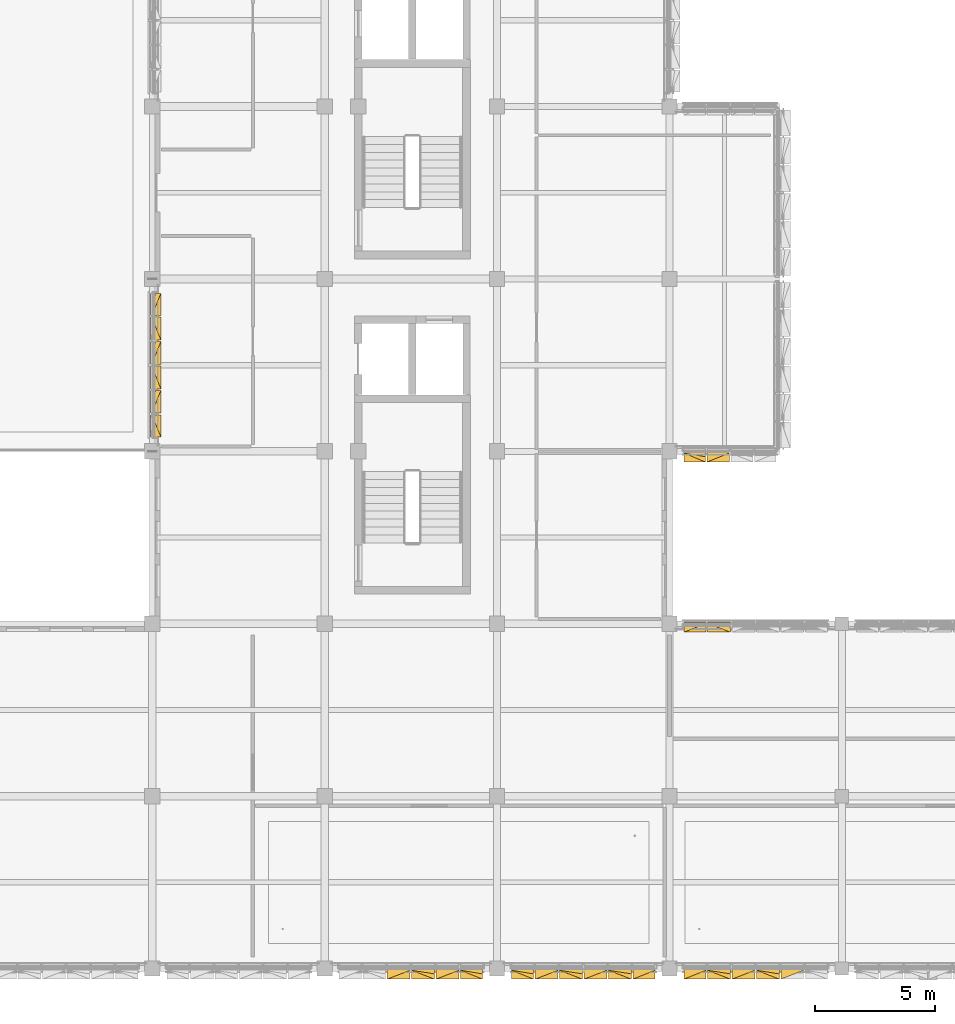
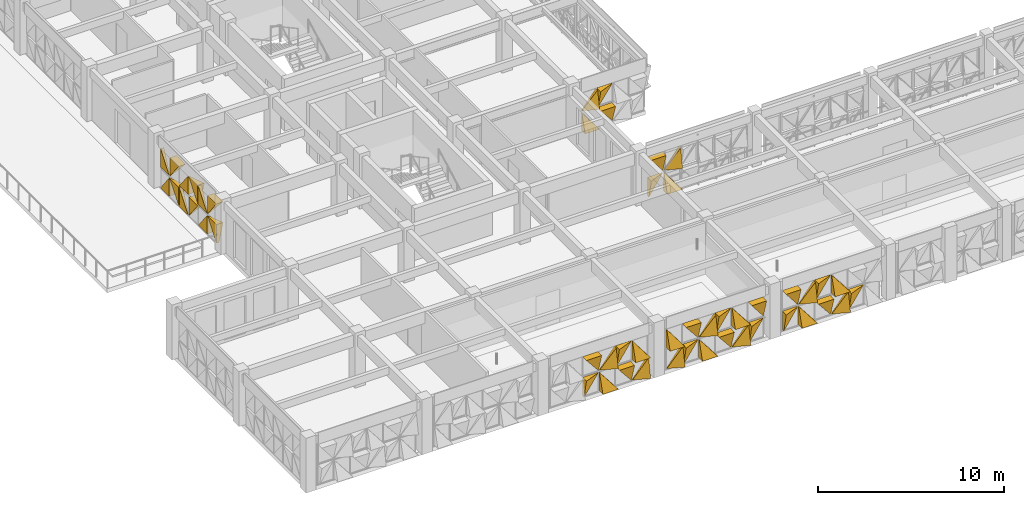
# One storey, part 77 of 85: 49 coverings.
"""IFC4 building model written with IfcOpenShell, lengths in metres."""

from ifc_helpers import new_model, si_unit, direction, frame, origin, place, context, subcontext, project, spatial, polygons, material, layer, layer_set, type_object, element, save


model = new_model("IFC4")

# Units and contexts
model_context = context("Model", 3, precision=1e-05, world=origin(), true_north=direction((0.0, 1.0)))
body_context = subcontext(model_context, "Body", "Model", "MODEL_VIEW")
ifc_project = project(units=[si_unit("LENGTHUNIT", "METRE"), si_unit("AREAUNIT", "SQUARE_METRE"), si_unit("VOLUMEUNIT", "CUBIC_METRE"), si_unit("PLANEANGLEUNIT", "RADIAN"), si_unit("MASSUNIT", "GRAM", prefix="KILO")], contexts=[model_context])

# Site, building, storey
site_placement = place(None, origin())
site = spatial("IfcSite", under=ifc_project, at=site_placement, CompositionType="ELEMENT")
building_placement = place(site_placement, origin())
building = spatial("IfcBuilding", under=site, at=building_placement, Name="Alvorim Cloister Faculty of Sciences", CompositionType="ELEMENT")
storey_placement = place(building_placement, frame((0.0, 0.0, 8.550048828125)))
storey = spatial("IfcBuildingStorey", under=building, at=storey_placement, Name="L02", CompositionType="ELEMENT", Elevation=8.550048828125)

# Coverings
ifc_material = material(Name="Perforated Bronze Alloy Sheet", Category="metal")
ifc_layer = layer(ifc_material, 0.0380859375)
ifc_layer_set = layer_set([ifc_layer], Name="Perforated Bronze Alloy Sheet")
covering_type = type_object("IfcCoveringType", Name="COV-TRI-BRZ", PredefinedType="CLADDING", material=ifc_layer_set)
covering_1_placement = place(storey_placement, frame((7.155029296875, 22.205078125, 0.139892578125), z_axis=(0.0, 0.0, 1.0), x_axis=(0.0, 1.0, 0.0)))
element("IfcCovering", 1, at=covering_1_placement, inside=storey, type_object=covering_type, Name="Diagonal Solid Metal Triangle TRI-TL", PredefinedType="CLADDING", context=body_context, shape_type="Tessellation", body=[
    polygons([(0.920607421875, 0.0260009765625, 1.215087890625), (0.0, 0.0260009765625, 1.215087890625), (0.0, 0.0260009765625, 0.002), (0.920607421875, -0.03, 1.215087890625), (0.0, -0.4, 1.215087890625), (0.0, -0.13999999999999999, 0.002)], [[[1, 3, 2]], [[4, 5, 6]], [[1, 2, 5, 4]], [[2, 3, 6, 5]], [[3, 1, 4, 6]]], closed=True),
])
covering_2_placement = place(storey_placement, frame((7.155029296875, 22.205078125, 1.494873046875), z_axis=(0.0, 0.0, 1.0), x_axis=(0.0, 1.0, 0.0)))
element("IfcCovering", 2, at=covering_2_placement, inside=storey, type_object=covering_type, Name="Diagonal Solid Metal Triangle TRI-TR", PredefinedType="CLADDING", context=body_context, shape_type="Tessellation", body=[
    polygons([(0.922607421875, 0.0260009765625, 0.002), (0.922607421875, 0.0260009765625, 1.215087890625), (0.002, 0.0260009765625, 1.215087890625), (0.922607421875, -0.03, 0.002), (0.922607421875, -0.4, 1.215087890625), (0.002, -0.4, 1.215087890625)], [[[1, 3, 2]], [[4, 5, 6]], [[1, 2, 5, 4]], [[2, 3, 6, 5]], [[3, 1, 4, 6]]], closed=True),
])
covering_3_placement = place(storey_placement, frame((7.155029296875, 23.1923828125, 0.139892578125), z_axis=(0.0, 0.0, 1.0), x_axis=(0.0, 1.0, 0.0)))
element("IfcCovering", 3, at=covering_3_placement, inside=storey, type_object=covering_type, Name="Diagonal Solid Metal Triangle TRI-BL", PredefinedType="CLADDING", context=body_context, shape_type="Tessellation", body=[
    polygons([(0.0, 0.0260009765625, 0.0), (0.953078125, 0.0260009765625, 0.0), (0.0, 0.0260009765625, 1.213087890625), (0.0, -0.4, 0.0), (0.953078125, -0.4, 0.0), (0.0, -0.03, 1.213087890625)], [[[1, 3, 2]], [[4, 5, 6]], [[1, 2, 5, 4]], [[2, 3, 6, 5]], [[3, 1, 4, 6]]], closed=True),
])
covering_4_placement = place(storey_placement, frame((7.155029296875, 23.1923828125, 1.494873046875), z_axis=(0.0, 0.0, 1.0), x_axis=(0.0, 1.0, 0.0)))
element("IfcCovering", 4, at=covering_4_placement, inside=storey, type_object=covering_type, Name="Diagonal Solid Metal Triangle TRI-BR", PredefinedType="CLADDING", context=body_context, shape_type="Tessellation", body=[
    polygons([(0.002, 0.0260009765625, 0.0), (0.955078125, 0.0260009765625, 0.0), (0.955078125, 0.0260009765625, 1.213087890625), (0.002, -0.03, 0.0), (0.955078125, -0.4, 0.0), (0.955078125, -0.18000000000000002, 1.213087890625)], [[[1, 3, 2]], [[4, 5, 6]], [[1, 2, 5, 4]], [[2, 3, 6, 5]], [[3, 1, 4, 6]]], closed=True),
])
covering_5_placement = place(storey_placement, frame((7.155029296875, 24.21240234375, 0.139892578125), z_axis=(0.0, 0.0, 1.0), x_axis=(0.0, 1.0, 0.0)))
element("IfcCovering", 5, at=covering_5_placement, inside=storey, type_object=covering_type, Name="Diagonal Solid Metal Triangle TRI-TR", PredefinedType="CLADDING", context=body_context, shape_type="Tessellation", body=[
    polygons([(0.955078125, 0.0260009765625, 0.002), (0.955078125, 0.0260009765625, 1.215087890625), (0.002, 0.0260009765625, 1.215087890625), (0.955078125, -0.03, 0.002), (0.955078125, -0.4, 1.215087890625), (0.002, -0.4, 1.215087890625)], [[[1, 3, 2]], [[4, 5, 6]], [[1, 2, 5, 4]], [[2, 3, 6, 5]], [[3, 1, 4, 6]]], closed=True),
])
covering_6_placement = place(storey_placement, frame((7.155029296875, 24.21240234375, 1.494873046875), z_axis=(0.0, 0.0, 1.0), x_axis=(0.0, 1.0, 0.0)))
element("IfcCovering", 6, at=covering_6_placement, inside=storey, type_object=covering_type, Name="Diagonal Solid Metal Triangle TRI-TL", PredefinedType="CLADDING", context=body_context, shape_type="Tessellation", body=[
    polygons([(0.953078125, 0.0260009765625, 1.215087890625), (0.0, 0.0260009765625, 1.215087890625), (0.0, 0.0260009765625, 0.002), (0.953078125, -0.03, 1.215087890625), (0.0, -0.4, 1.215087890625), (0.0, -0.13999999999999999, 0.002)], [[[1, 3, 2]], [[4, 5, 6]], [[1, 2, 5, 4]], [[2, 3, 6, 5]], [[3, 1, 4, 6]]], closed=True),
])
covering_7_placement = place(storey_placement, frame((7.155029296875, 25.232421875, 0.139892578125), z_axis=(0.0, 0.0, 1.0), x_axis=(0.0, 1.0, 0.0)))
element("IfcCovering", 7, at=covering_7_placement, inside=storey, type_object=covering_type, Name="Diagonal Solid Metal Triangle TRI-BR", PredefinedType="CLADDING", context=body_context, shape_type="Tessellation", body=[
    polygons([(0.002, 0.0260009765625, 0.0), (0.955078125, 0.0260009765625, 0.0), (0.955078125, 0.0260009765625, 1.213087890625), (0.002, -0.03, 0.0), (0.955078125, -0.4, 0.0), (0.955078125, -0.18000000000000002, 1.213087890625)], [[[1, 3, 2]], [[4, 5, 6]], [[1, 2, 5, 4]], [[2, 3, 6, 5]], [[3, 1, 4, 6]]], closed=True),
])
covering_8_placement = place(storey_placement, frame((7.155029296875, 25.232421875, 1.494873046875), z_axis=(0.0, 0.0, 1.0), x_axis=(0.0, 1.0, 0.0)))
element("IfcCovering", 8, at=covering_8_placement, inside=storey, type_object=covering_type, Name="Diagonal Solid Metal Triangle TRI-BL", PredefinedType="CLADDING", context=body_context, shape_type="Tessellation", body=[
    polygons([(0.0, 0.0260009765625, 0.0), (0.953078125, 0.0260009765625, 0.0), (0.0, 0.0260009765625, 1.213087890625), (0.0, -0.4, 0.0), (0.953078125, -0.4, 0.0), (0.0, -0.03, 1.213087890625)], [[[1, 3, 2]], [[4, 5, 6]], [[1, 2, 5, 4]], [[2, 3, 6, 5]], [[3, 1, 4, 6]]], closed=True),
])
covering_9_placement = place(storey_placement, frame((7.155029296875, 26.25244140625, 0.139892578125), z_axis=(0.0, 0.0, 1.0), x_axis=(0.0, 1.0, 0.0)))
element("IfcCovering", 9, at=covering_9_placement, inside=storey, type_object=covering_type, Name="Diagonal Solid Metal Triangle TRI-TL", PredefinedType="CLADDING", context=body_context, shape_type="Tessellation", body=[
    polygons([(0.953078125, 0.0260009765625, 1.215087890625), (0.0, 0.0260009765625, 1.215087890625), (0.0, 0.0260009765625, 0.002), (0.953078125, -0.03, 1.215087890625), (0.0, -0.4, 1.215087890625), (0.0, -0.13999999999999999, 0.002)], [[[1, 3, 2]], [[4, 5, 6]], [[1, 2, 5, 4]], [[2, 3, 6, 5]], [[3, 1, 4, 6]]], closed=True),
])
covering_10_placement = place(storey_placement, frame((7.155029296875, 26.25244140625, 1.494873046875), z_axis=(0.0, 0.0, 1.0), x_axis=(0.0, 1.0, 0.0)))
element("IfcCovering", 10, at=covering_10_placement, inside=storey, type_object=covering_type, Name="Diagonal Solid Metal Triangle TRI-TR", PredefinedType="CLADDING", context=body_context, shape_type="Tessellation", body=[
    polygons([(0.955078125, 0.0260009765625, 0.002), (0.955078125, 0.0260009765625, 1.215087890625), (0.002, 0.0260009765625, 1.215087890625), (0.955078125, -0.03, 0.002), (0.955078125, -0.4, 1.215087890625), (0.002, -0.4, 1.215087890625)], [[[1, 3, 2]], [[4, 5, 6]], [[1, 2, 5, 4]], [[2, 3, 6, 5]], [[3, 1, 4, 6]]], closed=True),
])
covering_11_placement = place(storey_placement, frame((7.155029296875, 27.2724609375, 0.139892578125), z_axis=(0.0, 0.0, 1.0), x_axis=(0.0, 1.0, 0.0)))
element("IfcCovering", 11, at=covering_11_placement, inside=storey, type_object=covering_type, Name="Diagonal Solid Metal Triangle TRI-BL", PredefinedType="CLADDING", context=body_context, shape_type="Tessellation", body=[
    polygons([(0.0, 0.0260009765625, 0.0), (0.920607421875, 0.0260009765625, 0.0), (0.0, 0.0260009765625, 1.213087890625), (0.0, -0.4, 0.0), (0.920607421875, -0.4, 0.0), (0.0, -0.03, 1.213087890625)], [[[1, 3, 2]], [[4, 5, 6]], [[1, 2, 5, 4]], [[2, 3, 6, 5]], [[3, 1, 4, 6]]], closed=True),
])
covering_12_placement = place(storey_placement, frame((7.155029296875, 27.2724609375, 1.494873046875), z_axis=(0.0, 0.0, 1.0), x_axis=(0.0, 1.0, 0.0)))
element("IfcCovering", 12, at=covering_12_placement, inside=storey, type_object=covering_type, Name="Diagonal Solid Metal Triangle TRI-BR", PredefinedType="CLADDING", context=body_context, shape_type="Tessellation", body=[
    polygons([(0.002, 0.0260009765625, 0.0), (0.922607421875, 0.0260009765625, 0.0), (0.922607421875, 0.0260009765625, 1.213087890625), (0.002, -0.03, 0.0), (0.922607421875, -0.4, 0.0), (0.922607421875, -0.18000000000000002, 1.213087890625)], [[[1, 3, 2]], [[4, 5, 6]], [[1, 2, 5, 4]], [[2, 3, 6, 5]], [[3, 1, 4, 6]]], closed=True),
])
covering_13_placement = place(storey_placement, frame((29.405029296875, 21.554931640625, 0.139892578125), z_axis=(0.0, 0.0, 1.0), x_axis=(1.0, 0.0, 0.0)))
element("IfcCovering", 13, at=covering_13_placement, inside=storey, type_object=covering_type, Name="Diagonal Solid Metal Triangle TRI-BL", PredefinedType="CLADDING", context=body_context, shape_type="Tessellation", body=[
    polygons([(0.0, 0.0260009765625, 0.0), (0.8954609375, 0.0260009765625, 0.0), (0.0, 0.0260009765625, 1.14106640625), (0.0, -0.4, 0.0), (0.8954609375, -0.4, 0.0), (0.0, -0.03, 1.14106640625)], [[[1, 3, 2]], [[4, 5, 6]], [[1, 2, 5, 4]], [[2, 3, 6, 5]], [[3, 1, 4, 6]]], closed=True),
])
covering_14_placement = place(storey_placement, frame((29.405029296875, 21.554931640625, 1.4228515625), z_axis=(0.0, 0.0, 1.0), x_axis=(1.0, 0.0, 0.0)))
element("IfcCovering", 14, at=covering_14_placement, inside=storey, type_object=covering_type, Name="Diagonal Solid Metal Triangle TRI-BR", PredefinedType="CLADDING", context=body_context, shape_type="Tessellation", body=[
    polygons([(0.002, 0.0260009765625, 0.0), (0.8974609375, 0.0260009765625, 0.0), (0.8974609375, 0.0260009765625, 1.14106640625), (0.002, -0.03, 0.0), (0.8974609375, -0.4, 0.0), (0.8974609375, -0.18000000000000002, 1.14106640625)], [[[1, 3, 2]], [[4, 5, 6]], [[1, 2, 5, 4]], [[2, 3, 6, 5]], [[3, 1, 4, 6]]], closed=True),
])
covering_15_placement = place(storey_placement, frame((30.367431640625, 21.554931640625, 0.139892578125), z_axis=(0.0, 0.0, 1.0), x_axis=(1.0, 0.0, 0.0)))
element("IfcCovering", 15, at=covering_15_placement, inside=storey, type_object=covering_type, Name="Diagonal Solid Metal Triangle TRI-TR", PredefinedType="CLADDING", context=body_context, shape_type="Tessellation", body=[
    polygons([(0.929931640625, 0.0260009765625, 0.002), (0.929931640625, 0.0260009765625, 1.14306640625), (0.002, 0.0260009765625, 1.14306640625), (0.929931640625, -0.03, 0.002), (0.929931640625, -0.4, 1.14306640625), (0.002, -0.4, 1.14306640625)], [[[1, 3, 2]], [[4, 5, 6]], [[1, 2, 5, 4]], [[2, 3, 6, 5]], [[3, 1, 4, 6]]], closed=True),
])
covering_16_placement = place(storey_placement, frame((30.367431640625, 21.554931640625, 1.4228515625), z_axis=(0.0, 0.0, 1.0), x_axis=(1.0, 0.0, 0.0)))
element("IfcCovering", 16, at=covering_16_placement, inside=storey, type_object=covering_type, Name="Diagonal Solid Metal Triangle TRI-TL", PredefinedType="CLADDING", context=body_context, shape_type="Tessellation", body=[
    polygons([(0.927931640625, 0.0260009765625, 1.14306640625), (0.0, 0.0260009765625, 1.14306640625), (0.0, 0.0260009765625, 0.002), (0.927931640625, -0.03, 1.14306640625), (0.0, -0.4, 1.14306640625), (0.0, -0.13999999999999999, 0.002)], [[[1, 3, 2]], [[4, 5, 6]], [[1, 2, 5, 4]], [[2, 3, 6, 5]], [[3, 1, 4, 6]]], closed=True),
])
covering_17_placement = place(storey_placement, frame((29.405029296875, 14.445068359375, 0.139892578125), z_axis=(0.0, 0.0, 1.0), x_axis=(1.0, 0.0, 0.0)))
element("IfcCovering", 17, at=covering_17_placement, inside=storey, type_object=covering_type, Name="Diagonal Solid Metal Triangle TRI-TL", PredefinedType="CLADDING", context=body_context, shape_type="Tessellation", body=[
    polygons([(0.920607421875, 0.0260009765625, 1.215087890625), (0.0, 0.0260009765625, 1.215087890625), (0.0, 0.0260009765625, 0.002), (0.920607421875, -0.03, 1.215087890625), (0.0, -0.4, 1.215087890625), (0.0, -0.13999999999999999, 0.002)], [[[1, 3, 2]], [[4, 5, 6]], [[1, 2, 5, 4]], [[2, 3, 6, 5]], [[3, 1, 4, 6]]], closed=True),
])
covering_18_placement = place(storey_placement, frame((29.405029296875, 14.445068359375, 1.494873046875), z_axis=(0.0, 0.0, 1.0), x_axis=(1.0, 0.0, 0.0)))
element("IfcCovering", 18, at=covering_18_placement, inside=storey, type_object=covering_type, Name="Diagonal Solid Metal Triangle TRI-TR", PredefinedType="CLADDING", context=body_context, shape_type="Tessellation", body=[
    polygons([(0.922607421875, 0.0260009765625, 0.002), (0.922607421875, 0.0260009765625, 1.215087890625), (0.002, 0.0260009765625, 1.215087890625), (0.922607421875, -0.03, 0.002), (0.922607421875, -0.4, 1.215087890625), (0.002, -0.4, 1.215087890625)], [[[1, 3, 2]], [[4, 5, 6]], [[1, 2, 5, 4]], [[2, 3, 6, 5]], [[3, 1, 4, 6]]], closed=True),
])
covering_19_placement = place(storey_placement, frame((30.392578125, 14.445068359375, 0.139892578125), z_axis=(0.0, 0.0, 1.0), x_axis=(1.0, 0.0, 0.0)))
element("IfcCovering", 19, at=covering_19_placement, inside=storey, type_object=covering_type, Name="Diagonal Solid Metal Triangle TRI-BL", PredefinedType="CLADDING", context=body_context, shape_type="Tessellation", body=[
    polygons([(0.0, 0.0260009765625, 0.0), (0.953078125, 0.0260009765625, 0.0), (0.0, 0.0260009765625, 1.213087890625), (0.0, -0.4, 0.0), (0.953078125, -0.4, 0.0), (0.0, -0.03, 1.213087890625)], [[[1, 3, 2]], [[4, 5, 6]], [[1, 2, 5, 4]], [[2, 3, 6, 5]], [[3, 1, 4, 6]]], closed=True),
])
covering_20_placement = place(storey_placement, frame((30.392578125, 14.445068359375, 1.494873046875), z_axis=(0.0, 0.0, 1.0), x_axis=(1.0, 0.0, 0.0)))
element("IfcCovering", 20, at=covering_20_placement, inside=storey, type_object=covering_type, Name="Diagonal Solid Metal Triangle TRI-BR", PredefinedType="CLADDING", context=body_context, shape_type="Tessellation", body=[
    polygons([(0.002, 0.0260009765625, 0.0), (0.955078125, 0.0260009765625, 0.0), (0.955078125, 0.0260009765625, 1.213087890625), (0.002, -0.03, 0.0), (0.955078125, -0.4, 0.0), (0.955078125, -0.18000000000000002, 1.213087890625)], [[[1, 3, 2]], [[4, 5, 6]], [[1, 2, 5, 4]], [[2, 3, 6, 5]], [[3, 1, 4, 6]]], closed=True),
])
covering_21_placement = place(storey_placement, frame((29.405029296875, -0.044921875, 0.139892578125), z_axis=(0.0, 0.0, 1.0), x_axis=(1.0, 0.0, 0.0)))
element("IfcCovering", 21, at=covering_21_placement, inside=storey, type_object=covering_type, Name="Diagonal Solid Metal Triangle TRI-TL", PredefinedType="CLADDING", context=body_context, shape_type="Tessellation", body=[
    polygons([(0.920607421875, 0.0260009765625, 1.215087890625), (0.0, 0.0260009765625, 1.215087890625), (0.0, 0.0260009765625, 0.002), (0.920607421875, -0.03, 1.215087890625), (0.0, -0.4, 1.215087890625), (0.0, -0.13999999999999999, 0.002)], [[[1, 3, 2]], [[4, 5, 6]], [[1, 2, 5, 4]], [[2, 3, 6, 5]], [[3, 1, 4, 6]]], closed=True),
])
covering_22_placement = place(storey_placement, frame((29.405029296875, -0.044921875, 1.494873046875), z_axis=(0.0, 0.0, 1.0), x_axis=(1.0, 0.0, 0.0)))
element("IfcCovering", 22, at=covering_22_placement, inside=storey, type_object=covering_type, Name="Diagonal Solid Metal Triangle TRI-TR", PredefinedType="CLADDING", context=body_context, shape_type="Tessellation", body=[
    polygons([(0.922607421875, 0.0260009765625, 0.002), (0.922607421875, 0.0260009765625, 1.215087890625), (0.002, 0.0260009765625, 1.215087890625), (0.922607421875, -0.03, 0.002), (0.922607421875, -0.4, 1.215087890625), (0.002, -0.4, 1.215087890625)], [[[1, 3, 2]], [[4, 5, 6]], [[1, 2, 5, 4]], [[2, 3, 6, 5]], [[3, 1, 4, 6]]], closed=True),
])
covering_23_placement = place(storey_placement, frame((30.392578125, -0.044921875, 0.139892578125), z_axis=(0.0, 0.0, 1.0), x_axis=(1.0, 0.0, 0.0)))
element("IfcCovering", 23, at=covering_23_placement, inside=storey, type_object=covering_type, Name="Diagonal Solid Metal Triangle TRI-BL", PredefinedType="CLADDING", context=body_context, shape_type="Tessellation", body=[
    polygons([(0.0, 0.0260009765625, 0.0), (0.953078125, 0.0260009765625, 0.0), (0.0, 0.0260009765625, 1.213087890625), (0.0, -0.4, 0.0), (0.953078125, -0.4, 0.0), (0.0, -0.03, 1.213087890625)], [[[1, 3, 2]], [[4, 5, 6]], [[1, 2, 5, 4]], [[2, 3, 6, 5]], [[3, 1, 4, 6]]], closed=True),
])
covering_24_placement = place(storey_placement, frame((30.392578125, -0.044921875, 1.494873046875), z_axis=(0.0, 0.0, 1.0), x_axis=(1.0, 0.0, 0.0)))
element("IfcCovering", 24, at=covering_24_placement, inside=storey, type_object=covering_type, Name="Diagonal Solid Metal Triangle TRI-BR", PredefinedType="CLADDING", context=body_context, shape_type="Tessellation", body=[
    polygons([(0.002, 0.0260009765625, 0.0), (0.955078125, 0.0260009765625, 0.0), (0.955078125, 0.0260009765625, 1.213087890625), (0.002, -0.03, 0.0), (0.955078125, -0.4, 0.0), (0.955078125, -0.18000000000000002, 1.213087890625)], [[[1, 3, 2]], [[4, 5, 6]], [[1, 2, 5, 4]], [[2, 3, 6, 5]], [[3, 1, 4, 6]]], closed=True),
])
covering_25_placement = place(storey_placement, frame((31.41259765625, -0.044921875, 0.139892578125), z_axis=(0.0, 0.0, 1.0), x_axis=(1.0, 0.0, 0.0)))
element("IfcCovering", 25, at=covering_25_placement, inside=storey, type_object=covering_type, Name="Diagonal Solid Metal Triangle TRI-TR", PredefinedType="CLADDING", context=body_context, shape_type="Tessellation", body=[
    polygons([(0.955078125, 0.0260009765625, 0.002), (0.955078125, 0.0260009765625, 1.215087890625), (0.002, 0.0260009765625, 1.215087890625), (0.955078125, -0.03, 0.002), (0.955078125, -0.4, 1.215087890625), (0.002, -0.4, 1.215087890625)], [[[1, 3, 2]], [[4, 5, 6]], [[1, 2, 5, 4]], [[2, 3, 6, 5]], [[3, 1, 4, 6]]], closed=True),
])
covering_26_placement = place(storey_placement, frame((31.41259765625, -0.044921875, 1.494873046875), z_axis=(0.0, 0.0, 1.0), x_axis=(1.0, 0.0, 0.0)))
element("IfcCovering", 26, at=covering_26_placement, inside=storey, type_object=covering_type, Name="Diagonal Solid Metal Triangle TRI-TL", PredefinedType="CLADDING", context=body_context, shape_type="Tessellation", body=[
    polygons([(0.953078125, 0.0260009765625, 1.215087890625), (0.0, 0.0260009765625, 1.215087890625), (0.0, 0.0260009765625, 0.002), (0.953078125, -0.03, 1.215087890625), (0.0, -0.4, 1.215087890625), (0.0, -0.13999999999999999, 0.002)], [[[1, 3, 2]], [[4, 5, 6]], [[1, 2, 5, 4]], [[2, 3, 6, 5]], [[3, 1, 4, 6]]], closed=True),
])
covering_27_placement = place(storey_placement, frame((32.4326171875, -0.044921875, 0.139892578125), z_axis=(0.0, 0.0, 1.0), x_axis=(1.0, 0.0, 0.0)))
element("IfcCovering", 27, at=covering_27_placement, inside=storey, type_object=covering_type, Name="Diagonal Solid Metal Triangle TRI-BR", PredefinedType="CLADDING", context=body_context, shape_type="Tessellation", body=[
    polygons([(0.002, 0.0260009765625, 0.0), (0.955078125, 0.0260009765625, 0.0), (0.955078125, 0.0260009765625, 1.213087890625), (0.002, -0.03, 0.0), (0.955078125, -0.4, 0.0), (0.955078125, -0.18000000000000002, 1.213087890625)], [[[1, 3, 2]], [[4, 5, 6]], [[1, 2, 5, 4]], [[2, 3, 6, 5]], [[3, 1, 4, 6]]], closed=True),
])
covering_28_placement = place(storey_placement, frame((32.4326171875, -0.044921875, 1.494873046875), z_axis=(0.0, 0.0, 1.0), x_axis=(1.0, 0.0, 0.0)))
element("IfcCovering", 28, at=covering_28_placement, inside=storey, type_object=covering_type, Name="Diagonal Solid Metal Triangle TRI-BL", PredefinedType="CLADDING", context=body_context, shape_type="Tessellation", body=[
    polygons([(0.0, 0.0260009765625, 0.0), (0.953078125, 0.0260009765625, 0.0), (0.0, 0.0260009765625, 1.213087890625), (0.0, -0.4, 0.0), (0.953078125, -0.4, 0.0), (0.0, -0.03, 1.213087890625)], [[[1, 3, 2]], [[4, 5, 6]], [[1, 2, 5, 4]], [[2, 3, 6, 5]], [[3, 1, 4, 6]]], closed=True),
])
covering_29_placement = place(storey_placement, frame((33.452392578125, -0.044921875, 0.139892578125), z_axis=(0.0, 0.0, 1.0), x_axis=(1.0, 0.0, 0.0)))
element("IfcCovering", 29, at=covering_29_placement, inside=storey, type_object=covering_type, Name="Diagonal Solid Metal Triangle TRI-TL", PredefinedType="CLADDING", context=body_context, shape_type="Tessellation", body=[
    polygons([(0.953078125, 0.0260009765625, 1.215087890625), (0.0, 0.0260009765625, 1.215087890625), (0.0, 0.0260009765625, 0.002), (0.953078125, -0.03, 1.215087890625), (0.0, -0.4, 1.215087890625), (0.0, -0.13999999999999999, 0.002)], [[[1, 3, 2]], [[4, 5, 6]], [[1, 2, 5, 4]], [[2, 3, 6, 5]], [[3, 1, 4, 6]]], closed=True),
])
covering_30_placement = place(storey_placement, frame((22.205078125, -0.044921875, 0.139892578125), z_axis=(0.0, 0.0, 1.0), x_axis=(1.0, 0.0, 0.0)))
element("IfcCovering", 30, at=covering_30_placement, inside=storey, type_object=covering_type, Name="Diagonal Solid Metal Triangle TRI-BR", PredefinedType="CLADDING", context=body_context, shape_type="Tessellation", body=[
    polygons([(0.002, 0.0260009765625, 0.0), (0.922607421875, 0.0260009765625, 0.0), (0.922607421875, 0.0260009765625, 1.213087890625), (0.002, -0.03, 0.0), (0.922607421875, -0.4, 0.0), (0.922607421875, -0.18000000000000002, 1.213087890625)], [[[1, 3, 2]], [[4, 5, 6]], [[1, 2, 5, 4]], [[2, 3, 6, 5]], [[3, 1, 4, 6]]], closed=True),
])
covering_31_placement = place(storey_placement, frame((22.205078125, -0.044921875, 1.494873046875), z_axis=(0.0, 0.0, 1.0), x_axis=(1.0, 0.0, 0.0)))
element("IfcCovering", 31, at=covering_31_placement, inside=storey, type_object=covering_type, Name="Diagonal Solid Metal Triangle TRI-BL", PredefinedType="CLADDING", context=body_context, shape_type="Tessellation", body=[
    polygons([(0.0, 0.0260009765625, 0.0), (0.920607421875, 0.0260009765625, 0.0), (0.0, 0.0260009765625, 1.213087890625), (0.0, -0.4, 0.0), (0.920607421875, -0.4, 0.0), (0.0, -0.03, 1.213087890625)], [[[1, 3, 2]], [[4, 5, 6]], [[1, 2, 5, 4]], [[2, 3, 6, 5]], [[3, 1, 4, 6]]], closed=True),
])
covering_32_placement = place(storey_placement, frame((23.1923828125, -0.044921875, 0.139892578125), z_axis=(0.0, 0.0, 1.0), x_axis=(1.0, 0.0, 0.0)))
element("IfcCovering", 32, at=covering_32_placement, inside=storey, type_object=covering_type, Name="Diagonal Solid Metal Triangle TRI-TL", PredefinedType="CLADDING", context=body_context, shape_type="Tessellation", body=[
    polygons([(0.953078125, 0.0260009765625, 1.215087890625), (0.0, 0.0260009765625, 1.215087890625), (0.0, 0.0260009765625, 0.002), (0.953078125, -0.03, 1.215087890625), (0.0, -0.4, 1.215087890625), (0.0, -0.13999999999999999, 0.002)], [[[1, 3, 2]], [[4, 5, 6]], [[1, 2, 5, 4]], [[2, 3, 6, 5]], [[3, 1, 4, 6]]], closed=True),
])
covering_33_placement = place(storey_placement, frame((23.1923828125, -0.044921875, 1.494873046875), z_axis=(0.0, 0.0, 1.0), x_axis=(1.0, 0.0, 0.0)))
element("IfcCovering", 33, at=covering_33_placement, inside=storey, type_object=covering_type, Name="Diagonal Solid Metal Triangle TRI-TR", PredefinedType="CLADDING", context=body_context, shape_type="Tessellation", body=[
    polygons([(0.955078125, 0.0260009765625, 0.002), (0.955078125, 0.0260009765625, 1.215087890625), (0.002, 0.0260009765625, 1.215087890625), (0.955078125, -0.03, 0.002), (0.955078125, -0.4, 1.215087890625), (0.002, -0.4, 1.215087890625)], [[[1, 3, 2]], [[4, 5, 6]], [[1, 2, 5, 4]], [[2, 3, 6, 5]], [[3, 1, 4, 6]]], closed=True),
])
covering_34_placement = place(storey_placement, frame((24.21240234375, -0.044921875, 0.139892578125), z_axis=(0.0, 0.0, 1.0), x_axis=(1.0, 0.0, 0.0)))
element("IfcCovering", 34, at=covering_34_placement, inside=storey, type_object=covering_type, Name="Diagonal Solid Metal Triangle TRI-BL", PredefinedType="CLADDING", context=body_context, shape_type="Tessellation", body=[
    polygons([(0.0, 0.0260009765625, 0.0), (0.953078125, 0.0260009765625, 0.0), (0.0, 0.0260009765625, 1.213087890625), (0.0, -0.4, 0.0), (0.953078125, -0.4, 0.0), (0.0, -0.03, 1.213087890625)], [[[1, 3, 2]], [[4, 5, 6]], [[1, 2, 5, 4]], [[2, 3, 6, 5]], [[3, 1, 4, 6]]], closed=True),
])
covering_35_placement = place(storey_placement, frame((24.21240234375, -0.044921875, 1.494873046875), z_axis=(0.0, 0.0, 1.0), x_axis=(1.0, 0.0, 0.0)))
element("IfcCovering", 35, at=covering_35_placement, inside=storey, type_object=covering_type, Name="Diagonal Solid Metal Triangle TRI-BR", PredefinedType="CLADDING", context=body_context, shape_type="Tessellation", body=[
    polygons([(0.002, 0.0260009765625, 0.0), (0.955078125, 0.0260009765625, 0.0), (0.955078125, 0.0260009765625, 1.213087890625), (0.002, -0.03, 0.0), (0.955078125, -0.4, 0.0), (0.955078125, -0.18000000000000002, 1.213087890625)], [[[1, 3, 2]], [[4, 5, 6]], [[1, 2, 5, 4]], [[2, 3, 6, 5]], [[3, 1, 4, 6]]], closed=True),
])
covering_36_placement = place(storey_placement, frame((25.232421875, -0.044921875, 0.139892578125), z_axis=(0.0, 0.0, 1.0), x_axis=(1.0, 0.0, 0.0)))
element("IfcCovering", 36, at=covering_36_placement, inside=storey, type_object=covering_type, Name="Diagonal Solid Metal Triangle TRI-TR", PredefinedType="CLADDING", context=body_context, shape_type="Tessellation", body=[
    polygons([(0.955078125, 0.0260009765625, 0.002), (0.955078125, 0.0260009765625, 1.215087890625), (0.002, 0.0260009765625, 1.215087890625), (0.955078125, -0.03, 0.002), (0.955078125, -0.4, 1.215087890625), (0.002, -0.4, 1.215087890625)], [[[1, 3, 2]], [[4, 5, 6]], [[1, 2, 5, 4]], [[2, 3, 6, 5]], [[3, 1, 4, 6]]], closed=True),
])
covering_37_placement = place(storey_placement, frame((25.232421875, -0.044921875, 1.494873046875), z_axis=(0.0, 0.0, 1.0), x_axis=(1.0, 0.0, 0.0)))
element("IfcCovering", 37, at=covering_37_placement, inside=storey, type_object=covering_type, Name="Diagonal Solid Metal Triangle TRI-TL", PredefinedType="CLADDING", context=body_context, shape_type="Tessellation", body=[
    polygons([(0.953078125, 0.0260009765625, 1.215087890625), (0.0, 0.0260009765625, 1.215087890625), (0.0, 0.0260009765625, 0.002), (0.953078125, -0.03, 1.215087890625), (0.0, -0.4, 1.215087890625), (0.0, -0.13999999999999999, 0.002)], [[[1, 3, 2]], [[4, 5, 6]], [[1, 2, 5, 4]], [[2, 3, 6, 5]], [[3, 1, 4, 6]]], closed=True),
])
covering_38_placement = place(storey_placement, frame((26.25244140625, -0.044921875, 0.139892578125), z_axis=(0.0, 0.0, 1.0), x_axis=(1.0, 0.0, 0.0)))
element("IfcCovering", 38, at=covering_38_placement, inside=storey, type_object=covering_type, Name="Diagonal Solid Metal Triangle TRI-BR", PredefinedType="CLADDING", context=body_context, shape_type="Tessellation", body=[
    polygons([(0.002, 0.0260009765625, 0.0), (0.955078125, 0.0260009765625, 0.0), (0.955078125, 0.0260009765625, 1.213087890625), (0.002, -0.03, 0.0), (0.955078125, -0.4, 0.0), (0.955078125, -0.18000000000000002, 1.213087890625)], [[[1, 3, 2]], [[4, 5, 6]], [[1, 2, 5, 4]], [[2, 3, 6, 5]], [[3, 1, 4, 6]]], closed=True),
])
covering_39_placement = place(storey_placement, frame((26.25244140625, -0.044921875, 1.494873046875), z_axis=(0.0, 0.0, 1.0), x_axis=(1.0, 0.0, 0.0)))
element("IfcCovering", 39, at=covering_39_placement, inside=storey, type_object=covering_type, Name="Diagonal Solid Metal Triangle TRI-BL", PredefinedType="CLADDING", context=body_context, shape_type="Tessellation", body=[
    polygons([(0.0, 0.0260009765625, 0.0), (0.953078125, 0.0260009765625, 0.0), (0.0, 0.0260009765625, 1.213087890625), (0.0, -0.4, 0.0), (0.953078125, -0.4, 0.0), (0.0, -0.03, 1.213087890625)], [[[1, 3, 2]], [[4, 5, 6]], [[1, 2, 5, 4]], [[2, 3, 6, 5]], [[3, 1, 4, 6]]], closed=True),
])
covering_40_placement = place(storey_placement, frame((27.2724609375, -0.044921875, 0.139892578125), z_axis=(0.0, 0.0, 1.0), x_axis=(1.0, 0.0, 0.0)))
element("IfcCovering", 40, at=covering_40_placement, inside=storey, type_object=covering_type, Name="Diagonal Solid Metal Triangle TRI-TL", PredefinedType="CLADDING", context=body_context, shape_type="Tessellation", body=[
    polygons([(0.920607421875, 0.0260009765625, 1.215087890625), (0.0, 0.0260009765625, 1.215087890625), (0.0, 0.0260009765625, 0.002), (0.920607421875, -0.03, 1.215087890625), (0.0, -0.4, 1.215087890625), (0.0, -0.13999999999999999, 0.002)], [[[1, 3, 2]], [[4, 5, 6]], [[1, 2, 5, 4]], [[2, 3, 6, 5]], [[3, 1, 4, 6]]], closed=True),
])
covering_41_placement = place(storey_placement, frame((27.2724609375, -0.044921875, 1.494873046875), z_axis=(0.0, 0.0, 1.0), x_axis=(1.0, 0.0, 0.0)))
element("IfcCovering", 41, at=covering_41_placement, inside=storey, type_object=covering_type, Name="Diagonal Solid Metal Triangle TRI-TR", PredefinedType="CLADDING", context=body_context, shape_type="Tessellation", body=[
    polygons([(0.922607421875, 0.0260009765625, 0.002), (0.922607421875, 0.0260009765625, 1.215087890625), (0.002, 0.0260009765625, 1.215087890625), (0.922607421875, -0.03, 0.002), (0.922607421875, -0.4, 1.215087890625), (0.002, -0.4, 1.215087890625)], [[[1, 3, 2]], [[4, 5, 6]], [[1, 2, 5, 4]], [[2, 3, 6, 5]], [[3, 1, 4, 6]]], closed=True),
])
covering_42_placement = place(storey_placement, frame((17.012451171875, -0.044921875, 0.139892578125), z_axis=(0.0, 0.0, 1.0), x_axis=(1.0, 0.0, 0.0)))
element("IfcCovering", 42, at=covering_42_placement, inside=storey, type_object=covering_type, Name="Diagonal Solid Metal Triangle TRI-TL", PredefinedType="CLADDING", context=body_context, shape_type="Tessellation", body=[
    polygons([(0.953078125, 0.0260009765625, 1.215087890625), (0.0, 0.0260009765625, 1.215087890625), (0.0, 0.0260009765625, 0.002), (0.953078125, -0.03, 1.215087890625), (0.0, -0.4, 1.215087890625), (0.0, -0.13999999999999999, 0.002)], [[[1, 3, 2]], [[4, 5, 6]], [[1, 2, 5, 4]], [[2, 3, 6, 5]], [[3, 1, 4, 6]]], closed=True),
])
covering_43_placement = place(storey_placement, frame((17.012451171875, -0.044921875, 1.494873046875), z_axis=(0.0, 0.0, 1.0), x_axis=(1.0, 0.0, 0.0)))
element("IfcCovering", 43, at=covering_43_placement, inside=storey, type_object=covering_type, Name="Diagonal Solid Metal Triangle TRI-TR", PredefinedType="CLADDING", context=body_context, shape_type="Tessellation", body=[
    polygons([(0.955078125, 0.0260009765625, 0.002), (0.955078125, 0.0260009765625, 1.215087890625), (0.002, 0.0260009765625, 1.215087890625), (0.955078125, -0.03, 0.002), (0.955078125, -0.4, 1.215087890625), (0.002, -0.4, 1.215087890625)], [[[1, 3, 2]], [[4, 5, 6]], [[1, 2, 5, 4]], [[2, 3, 6, 5]], [[3, 1, 4, 6]]], closed=True),
])
covering_44_placement = place(storey_placement, frame((18.032470703125, -0.044921875, 0.139892578125), z_axis=(0.0, 0.0, 1.0), x_axis=(1.0, 0.0, 0.0)))
element("IfcCovering", 44, at=covering_44_placement, inside=storey, type_object=covering_type, Name="Diagonal Solid Metal Triangle TRI-BL", PredefinedType="CLADDING", context=body_context, shape_type="Tessellation", body=[
    polygons([(0.0, 0.0260009765625, 0.0), (0.953078125, 0.0260009765625, 0.0), (0.0, 0.0260009765625, 1.213087890625), (0.0, -0.4, 0.0), (0.953078125, -0.4, 0.0), (0.0, -0.03, 1.213087890625)], [[[1, 3, 2]], [[4, 5, 6]], [[1, 2, 5, 4]], [[2, 3, 6, 5]], [[3, 1, 4, 6]]], closed=True),
])
covering_45_placement = place(storey_placement, frame((18.032470703125, -0.044921875, 1.494873046875), z_axis=(0.0, 0.0, 1.0), x_axis=(1.0, 0.0, 0.0)))
element("IfcCovering", 45, at=covering_45_placement, inside=storey, type_object=covering_type, Name="Diagonal Solid Metal Triangle TRI-BR", PredefinedType="CLADDING", context=body_context, shape_type="Tessellation", body=[
    polygons([(0.002, 0.0260009765625, 0.0), (0.955078125, 0.0260009765625, 0.0), (0.955078125, 0.0260009765625, 1.213087890625), (0.002, -0.03, 0.0), (0.955078125, -0.4, 0.0), (0.955078125, -0.18000000000000002, 1.213087890625)], [[[1, 3, 2]], [[4, 5, 6]], [[1, 2, 5, 4]], [[2, 3, 6, 5]], [[3, 1, 4, 6]]], closed=True),
])
covering_46_placement = place(storey_placement, frame((19.052490234375, -0.044921875, 0.139892578125), z_axis=(0.0, 0.0, 1.0), x_axis=(1.0, 0.0, 0.0)))
element("IfcCovering", 46, at=covering_46_placement, inside=storey, type_object=covering_type, Name="Diagonal Solid Metal Triangle TRI-TR", PredefinedType="CLADDING", context=body_context, shape_type="Tessellation", body=[
    polygons([(0.955078125, 0.0260009765625, 0.002), (0.955078125, 0.0260009765625, 1.215087890625), (0.002, 0.0260009765625, 1.215087890625), (0.955078125, -0.03, 0.002), (0.955078125, -0.4, 1.215087890625), (0.002, -0.4, 1.215087890625)], [[[1, 3, 2]], [[4, 5, 6]], [[1, 2, 5, 4]], [[2, 3, 6, 5]], [[3, 1, 4, 6]]], closed=True),
])
covering_47_placement = place(storey_placement, frame((19.052490234375, -0.044921875, 1.494873046875), z_axis=(0.0, 0.0, 1.0), x_axis=(1.0, 0.0, 0.0)))
element("IfcCovering", 47, at=covering_47_placement, inside=storey, type_object=covering_type, Name="Diagonal Solid Metal Triangle TRI-TL", PredefinedType="CLADDING", context=body_context, shape_type="Tessellation", body=[
    polygons([(0.953078125, 0.0260009765625, 1.215087890625), (0.0, 0.0260009765625, 1.215087890625), (0.0, 0.0260009765625, 0.002), (0.953078125, -0.03, 1.215087890625), (0.0, -0.4, 1.215087890625), (0.0, -0.13999999999999999, 0.002)], [[[1, 3, 2]], [[4, 5, 6]], [[1, 2, 5, 4]], [[2, 3, 6, 5]], [[3, 1, 4, 6]]], closed=True),
])
covering_48_placement = place(storey_placement, frame((20.072509765625, -0.044921875, 0.139892578125), z_axis=(0.0, 0.0, 1.0), x_axis=(1.0, 0.0, 0.0)))
element("IfcCovering", 48, at=covering_48_placement, inside=storey, type_object=covering_type, Name="Diagonal Solid Metal Triangle TRI-BR", PredefinedType="CLADDING", context=body_context, shape_type="Tessellation", body=[
    polygons([(0.002, 0.0260009765625, 0.0), (0.922607421875, 0.0260009765625, 0.0), (0.922607421875, 0.0260009765625, 1.213087890625), (0.002, -0.03, 0.0), (0.922607421875, -0.4, 0.0), (0.922607421875, -0.18000000000000002, 1.213087890625)], [[[1, 3, 2]], [[4, 5, 6]], [[1, 2, 5, 4]], [[2, 3, 6, 5]], [[3, 1, 4, 6]]], closed=True),
])
covering_49_placement = place(storey_placement, frame((20.072509765625, -0.044921875, 1.494873046875), z_axis=(0.0, 0.0, 1.0), x_axis=(1.0, 0.0, 0.0)))
element("IfcCovering", 49, at=covering_49_placement, inside=storey, type_object=covering_type, Name="Diagonal Solid Metal Triangle TRI-BL", PredefinedType="CLADDING", context=body_context, shape_type="Tessellation", body=[
    polygons([(0.0, 0.0260009765625, 0.0), (0.920607421875, 0.0260009765625, 0.0), (0.0, 0.0260009765625, 1.213087890625), (0.0, -0.4, 0.0), (0.920607421875, -0.4, 0.0), (0.0, -0.03, 1.213087890625)], [[[1, 3, 2]], [[4, 5, 6]], [[1, 2, 5, 4]], [[2, 3, 6, 5]], [[3, 1, 4, 6]]], closed=True),
])

save(model, "model.ifc")
